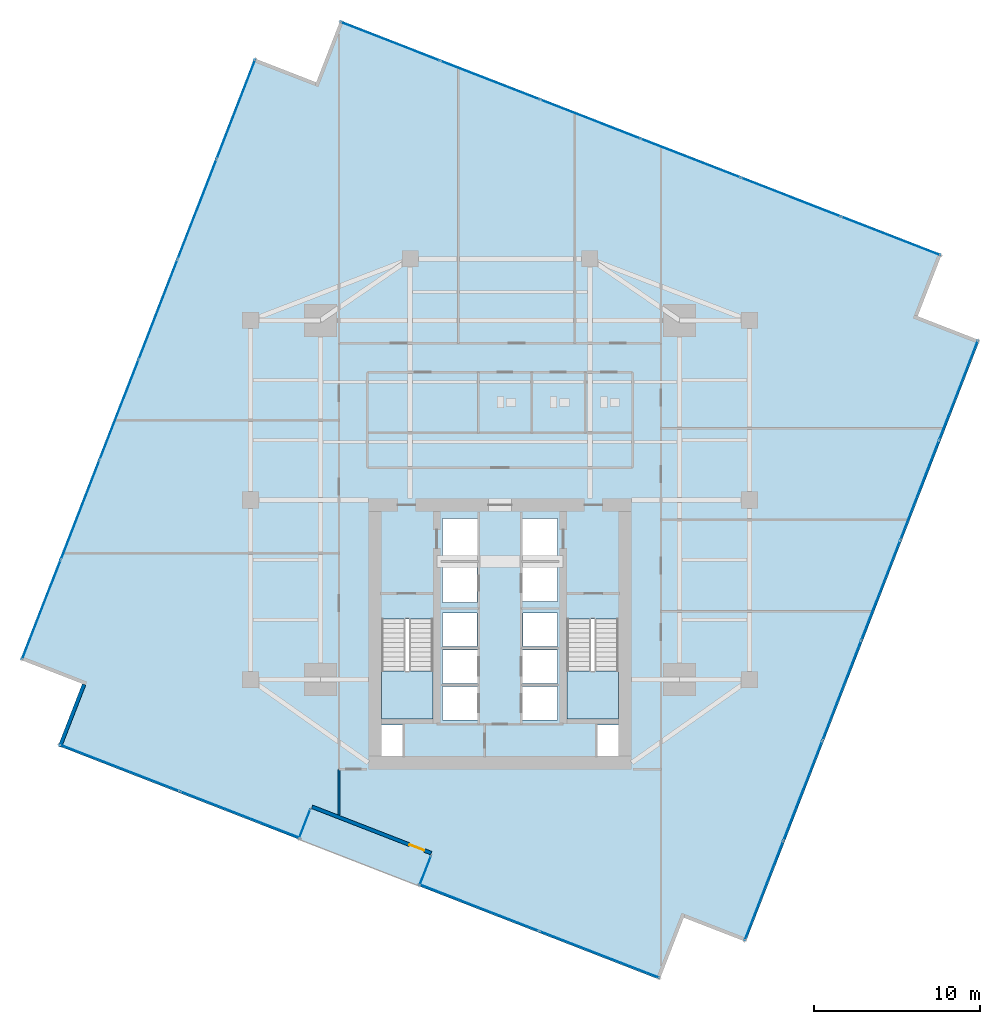
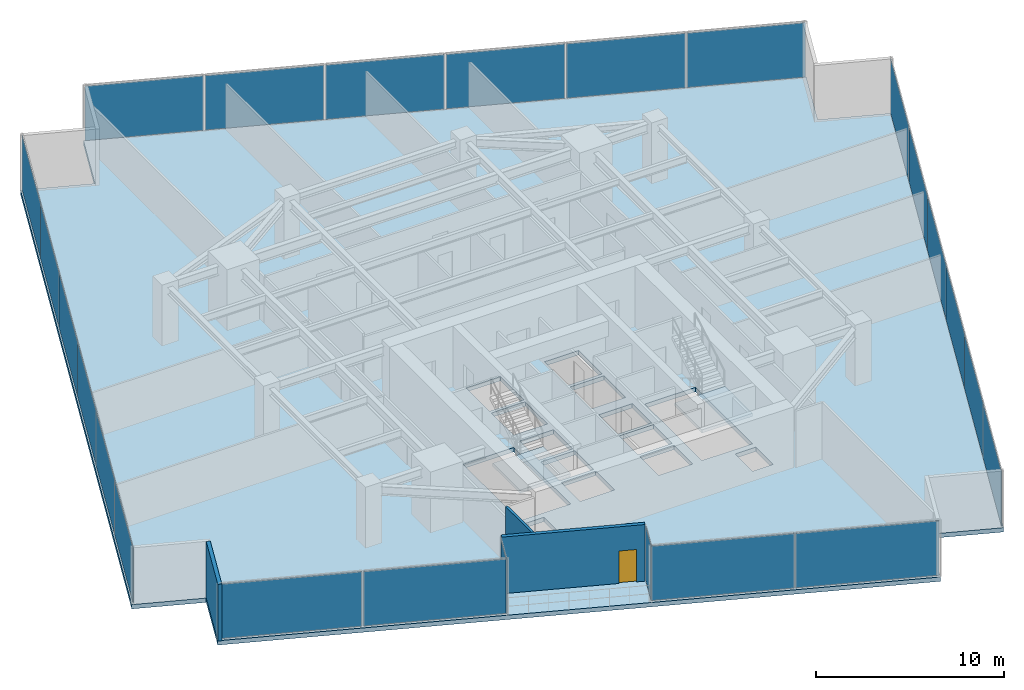
# One storey, part 21 of 26: 24 plates, 3 slabs, 3 walls, 1 door, 1 opening, 9 elements without a shape of their own.
"""IFC4 building model written with IfcOpenShell, lengths in metres."""

from ifc_helpers import new_model, si_unit, direction, frame, frame_2d, origin, origin_2d, place, context, subcontext, project, spatial, polyline, rectangle, outline, extrude, source, transform, mapped, material, layer, layer_set, type_object, type_shapes, element, fill, aggregate, save


model = new_model("IFC4")

# Units and contexts
model_context = context("Model", 3, precision=1e-05, world=origin(), true_north=direction((0.0, 1.0)))
body_context = subcontext(model_context, "Body", "Model", "MODEL_VIEW")
ifc_project = project(units=[si_unit("LENGTHUNIT", "METRE"), si_unit("AREAUNIT", "SQUARE_METRE"), si_unit("VOLUMEUNIT", "CUBIC_METRE"), si_unit("PLANEANGLEUNIT", "RADIAN"), si_unit("MASSUNIT", "GRAM", prefix="KILO")], contexts=[model_context])

# Site, building, storey
site_placement = place(None, origin())
site = spatial("IfcSite", under=ifc_project, at=site_placement, CompositionType="ELEMENT")
building_placement = place(site_placement, origin())
building = spatial("IfcBuilding", under=site, at=building_placement, Name="Krantzveldt Concourse Tower", CompositionType="ELEMENT")
storey_placement = place(building_placement, frame((0.0, 0.0, 133.5)))
storey = spatial("IfcBuildingStorey", under=building, at=storey_placement, Name="L32", CompositionType="ELEMENT", Elevation=133.5)

# Stair, slab
ifc_material_1 = material(Name="Precast concrete C40/50", Category="concrete")
stair_type = type_object("IfcStairType", Name="STR-CORE-DOGLEG", PredefinedType="HALF_TURN_STAIR", material=ifc_material_1)
stair_1_placement = place(storey_placement, origin())
stair_1 = element("IfcStair", 1, at=stair_1_placement, inside=storey, type_object=stair_type, Name="L32 Protected Escape Stair ST-1", PredefinedType="HALF_TURN_STAIR")
ifc_layer_1 = layer(ifc_material_1, 0.199951171875, Name="Precast concrete C40/50", Category="concrete")
ifc_layer_set_1 = layer_set([ifc_layer_1], Name="Precast concrete C40/50 (SL-LANDING-200)")
slab_type_1 = type_object("IfcSlabType", Name="SL-LANDING-200", PredefinedType="LANDING", material=ifc_layer_set_1)
slab_1_placement = place(storey_placement, frame((0.0, 0.0, 1.77490234375)))
slab_1 = element("IfcSlab", 2, at=slab_1_placement, type_object=slab_type_1, Name="ST-1 landing 1", PredefinedType="LANDING", context=body_context, shape_type="SweptSolid", body=[
    extrude(outline(polyline([(28.8798828125, 16.4150390625), (28.8798828125, 13.52001953125), (31.97998046875, 13.52001953125), (31.97998046875, 16.4150390625), (28.8798828125, 16.4150390625)])), origin(), (0.0, 0.0, 1.0), 0.2001953125),
])
aggregate(stair_1, [slab_1])

stair_2_placement = place(storey_placement, origin())
stair_2 = element("IfcStair", 3, at=stair_2_placement, inside=storey, type_object=stair_type, Name="L32 Protected Escape Stair ST-2", PredefinedType="HALF_TURN_STAIR")
slab_2_placement = place(storey_placement, frame((0.0, 0.0, 1.77490234375)))
slab_2 = element("IfcSlab", 4, at=slab_2_placement, type_object=slab_type_1, Name="ST-2 landing 1", PredefinedType="LANDING", context=body_context, shape_type="SweptSolid", body=[
    extrude(outline(polyline([(40.02001953125, 16.4150390625), (40.02001953125, 13.52001953125), (43.1201171875, 13.52001953125), (43.1201171875, 16.4150390625), (40.02001953125, 16.4150390625)])), origin(), (0.0, 0.0, 1.0), 0.2001953125),
])
aggregate(stair_2, [slab_2])

# Slab
ifc_material_2 = material(Name="Concrete C40/50", Category="concrete")
ifc_layer_2 = layer(ifc_material_2, 0.280029296875, Name="Concrete C40/50", Category="concrete")
ifc_layer_set_2 = layer_set([ifc_layer_2], Name="Concrete C40/50 (SL-SL-TER280)")
slab_type_2 = type_object("IfcSlabType", Name="SL-SL-TER280", PredefinedType="FLOOR", material=ifc_layer_set_2)
slab_3_placement = place(storey_placement, frame((0.0, 0.0, -0.280029296875)))
element("IfcSlab", 5, at=slab_3_placement, inside=storey, type_object=slab_type_2, Name="SL-L32-MAIN", PredefinedType="FLOOR", context=body_context, shape_type="SweptSolid", body=[
    extrude(outline(polyline([(24.950439453125, 51.812255859375), (21.222412109375, 53.261962890625), (7.15966796875, 17.10009765625), (10.8876953125, 15.650390625), (9.43798828125, 11.92236328125), (45.599853515625, -2.140380859375), (47.049560546875, 1.587646484375), (50.777587890625, 0.137939453125), (64.84033203125, 36.2998046875), (61.1123046875, 37.749755859375), (62.56201171875, 41.477783203125), (26.400146484375, 55.540283203125), (24.950439453125, 51.812255859375)]), holes=[polyline([(28.8798828125, 19.547607421875), (28.8798828125, 13.52001953125), (31.97998046875, 13.52001953125), (31.97998046875, 19.547607421875), (28.8798828125, 19.547607421875)]), polyline([(40.02001953125, 19.547607421875), (40.02001953125, 13.52001953125), (43.1201171875, 13.52001953125), (43.1201171875, 19.547607421875), (40.02001953125, 19.547607421875)]), polyline([(32.550048828125, 23.10009765625), (34.64990234375, 23.10009765625), (34.64990234375, 25.60009765625), (32.550048828125, 25.60009765625), (32.550048828125, 23.10009765625)]), polyline([(37.35009765625, 23.10009765625), (39.449951171875, 23.10009765625), (39.449951171875, 25.60009765625), (37.35009765625, 25.60009765625), (37.35009765625, 23.10009765625)]), polyline([(37.35009765625, 20.60009765625), (39.449951171875, 20.60009765625), (39.449951171875, 22.89990234375), (37.35009765625, 22.89990234375), (37.35009765625, 20.60009765625)]), polyline([(32.550048828125, 13.47998046875), (34.64990234375, 13.47998046875), (34.64990234375, 15.47998046875), (32.550048828125, 15.47998046875), (32.550048828125, 13.47998046875)]), polyline([(32.550048828125, 15.679931640625), (34.64990234375, 15.679931640625), (34.64990234375, 17.679931640625), (32.550048828125, 17.679931640625), (32.550048828125, 15.679931640625)]), polyline([(37.35009765625, 13.47998046875), (39.449951171875, 13.47998046875), (39.449951171875, 15.47998046875), (37.35009765625, 15.47998046875), (37.35009765625, 13.47998046875)]), polyline([(37.35009765625, 15.679931640625), (39.449951171875, 15.679931640625), (39.449951171875, 17.679931640625), (37.35009765625, 17.679931640625), (37.35009765625, 15.679931640625)]), polyline([(32.550048828125, 20.550048828125), (34.6201171875, 20.550048828125), (34.6201171875, 22.89990234375), (32.550048828125, 22.89990234375), (32.550048828125, 20.550048828125)]), polyline([(32.550048828125, 17.8798828125), (34.6201171875, 17.8798828125), (34.6201171875, 19.919921875), (32.550048828125, 19.919921875), (32.550048828125, 17.8798828125)]), polyline([(37.3798828125, 17.8798828125), (39.449951171875, 17.8798828125), (39.449951171875, 19.919921875), (37.3798828125, 19.919921875), (37.3798828125, 17.8798828125)]), polyline([(28.8798828125, 11.320068359375), (30.139892578125, 11.320068359375), (30.139892578125, 13.159912109375), (28.8798828125, 13.159912109375), (28.8798828125, 11.320068359375)]), polyline([(41.860107421875, 11.320068359375), (43.1201171875, 11.320068359375), (43.1201171875, 13.159912109375), (41.860107421875, 13.159912109375), (41.860107421875, 11.320068359375)])]), origin(), (0.0, 0.0, 1.0), 0.280029296875),
])

# Curtain wall, plate
ifc_material_3 = material(Name="Anodised aluminium 6063-T6", Category="aluminium")
curtain_wall_type_1 = type_object("IfcCurtainWallType", Name="CW6", PredefinedType="USERDEFINED", material=ifc_material_3)
curtain_wall_1_placement = place(storey_placement, origin())
curtain_wall_1 = element("IfcCurtainWall", 6, at=curtain_wall_1_placement, inside=storey, type_object=curtain_wall_type_1, Name="CW-L32-TR05", ObjectType="UNITISED CURTAIN WALL", PredefinedType="USERDEFINED")
ifc_material_4 = material(Name="Bronze-tinted laminated low-E IGU glass", Category="glass")
ifc_layer_3 = layer(ifc_material_4, 0.031982421875, Name="Bronze-tinted laminated low-E IGU glass", Category="glass")
ifc_layer_set_3 = layer_set([ifc_layer_3], Name="Bronze-tinted laminated low-E IGU glass (CW-GLZ-32)")
plate_type = type_object("IfcPlateType", Name="CW-GLZ-32", PredefinedType="CURTAIN_PANEL", material=ifc_layer_set_3)
shared_shape_1 = source(origin(), body_context, "Body", "SweptSolid", [
    extrude(rectangle(XDim=1.860107421875, YDim=0.031982421875, at=origin_2d()), origin(), (0.0, 0.0, 1.0), 3.530029296875),
])
plate_1_placement = place(storey_placement, frame((24.255859375, 7.23291015625, 0.06982421875), z_axis=(0.0, 0.0, 1.0), x_axis=(0.36243902256, 0.932007486518, 0.0)))
plate_1 = element("IfcPlate", 7, at=plate_1_placement, type_object=plate_type, Name="CW-TERR panel 1.1", PredefinedType="CURTAIN_PANEL", context=body_context, shape_type="MappedRepresentation", body=[
    mapped(shared_shape_1, transform((0.0, 0.0, 0.0), x_axis=(1.0, 0.0, 0.0), y_axis=(0.0, 1.0, 0.0), z_axis=(0.0, 0.0, 1.0), scale=1.0)),
])
aggregate(curtain_wall_1, [plate_1])

curtain_wall_2_placement = place(storey_placement, origin())
curtain_wall_2 = element("IfcCurtainWall", 8, at=curtain_wall_2_placement, inside=storey, type_object=curtain_wall_type_1, Name="CW-L32-TR07", ObjectType="UNITISED CURTAIN WALL", PredefinedType="USERDEFINED")
plate_2_placement = place(storey_placement, frame((31.5068359375, 4.4130859375, 0.06982421875), z_axis=(0.0, 0.0, 1.0), x_axis=(-0.36243902256, -0.932007486518, 0.0)))
plate_2 = element("IfcPlate", 9, at=plate_2_placement, type_object=plate_type, Name="CW-TERR panel 1.1", PredefinedType="CURTAIN_PANEL", context=body_context, shape_type="MappedRepresentation", body=[
    mapped(shared_shape_1, transform((0.0, 0.0, 0.0), x_axis=(1.0, 0.0, 0.0), y_axis=(0.0, 1.0, 0.0), z_axis=(0.0, 0.0, 1.0), scale=1.0)),
])
aggregate(curtain_wall_2, [plate_2])

# Curtain wall, plates
curtain_wall_type_2 = type_object("IfcCurtainWallType", Name="CW2", PredefinedType="USERDEFINED", material=ifc_material_3)
curtain_wall_3_placement = place(storey_placement, origin())
curtain_wall_3 = element("IfcCurtainWall", 10, at=curtain_wall_3_placement, inside=storey, type_object=curtain_wall_type_2, Name="CW-L32-F01", ObjectType="UNITISED CURTAIN WALL", PredefinedType="USERDEFINED")
shared_shape_2 = source(origin(), body_context, "Body", "SweptSolid", [
    extrude(rectangle(XDim=6.361572265625, YDim=0.031982421875, at=origin_2d()), origin(), (0.0, 0.0, 1.0), 3.530029296875),
])
plate_3_placement = place(storey_placement, frame((20.1279296875, 50.199462890625, 0.06982421875), z_axis=(0.0, 0.0, 1.0), x_axis=(-0.362437952917, -0.93200790248, 0.0)))
plate_3 = element("IfcPlate", 11, at=plate_3_placement, type_object=plate_type, Name="CW-Z12 panel 1.1", PredefinedType="CURTAIN_PANEL", context=body_context, shape_type="MappedRepresentation", body=[
    mapped(shared_shape_2, transform((0.0, 0.0, 0.0), x_axis=(1.0, 0.0, 0.0), y_axis=(0.0, 1.0, 0.0), z_axis=(0.0, 0.0, 1.0), scale=1.0)),
])
plate_4_placement = place(storey_placement, frame((8.421875, 20.09716796875, 0.06982421875), z_axis=(0.0, 0.0, 1.0), x_axis=(-0.362437952917, -0.93200790248, 0.0)))
plate_4 = element("IfcPlate", 12, at=plate_4_placement, type_object=plate_type, Name="CW-Z12 panel 6.1", PredefinedType="CURTAIN_PANEL", context=body_context, shape_type="MappedRepresentation", body=[
    mapped(shared_shape_2, transform((0.0, 0.0, 0.0), x_axis=(1.0, 0.0, 0.0), y_axis=(0.0, 1.0, 0.0), z_axis=(0.0, 0.0, 1.0), scale=1.0)),
])

curtain_wall_4_placement = place(storey_placement, origin())
curtain_wall_4 = element("IfcCurtainWall", 13, at=curtain_wall_4_placement, inside=storey, type_object=curtain_wall_type_2, Name="CW-L32-F11", ObjectType="UNITISED CURTAIN WALL", PredefinedType="USERDEFINED")
plate_5_placement = place(storey_placement, frame((51.8720703125, 3.200439453125, 0.06982421875), z_axis=(0.0, 0.0, 1.0), x_axis=(0.362437952917, 0.93200790248, 0.0)))
plate_5 = element("IfcPlate", 14, at=plate_5_placement, type_object=plate_type, Name="CW-Z12 panel 1.1", PredefinedType="CURTAIN_PANEL", context=body_context, shape_type="MappedRepresentation", body=[
    mapped(shared_shape_2, transform((0.0, 0.0, 0.0), x_axis=(1.0, 0.0, 0.0), y_axis=(0.0, 1.0, 0.0), z_axis=(0.0, 0.0, 1.0), scale=1.0)),
])
plate_6_placement = place(storey_placement, frame((63.578125, 33.302734375, 0.06982421875), z_axis=(0.0, 0.0, 1.0), x_axis=(0.362437952917, 0.93200790248, 0.0)))
plate_6 = element("IfcPlate", 15, at=plate_6_placement, type_object=plate_type, Name="CW-Z12 panel 6.1", PredefinedType="CURTAIN_PANEL", context=body_context, shape_type="MappedRepresentation", body=[
    mapped(shared_shape_2, transform((0.0, 0.0, 0.0), x_axis=(1.0, 0.0, 0.0), y_axis=(0.0, 1.0, 0.0), z_axis=(0.0, 0.0, 1.0), scale=1.0)),
])

curtain_wall_5_placement = place(storey_placement, origin())
curtain_wall_5 = element("IfcCurtainWall", 16, at=curtain_wall_5_placement, inside=storey, type_object=curtain_wall_type_2, Name="CW-L32-F14", ObjectType="UNITISED CURTAIN WALL", PredefinedType="USERDEFINED")
plate_7_placement = place(storey_placement, frame((59.49951171875, 42.572021484375, 0.06982421875), z_axis=(0.0, 0.0, 1.0), x_axis=(-0.93200790248, 0.362437952917, 0.0)))
plate_7 = element("IfcPlate", 17, at=plate_7_placement, type_object=plate_type, Name="CW-Z12 panel 1.1", PredefinedType="CURTAIN_PANEL", context=body_context, shape_type="MappedRepresentation", body=[
    mapped(shared_shape_2, transform((0.0, 0.0, 0.0), x_axis=(1.0, 0.0, 0.0), y_axis=(0.0, 1.0, 0.0), z_axis=(0.0, 0.0, 1.0), scale=1.0)),
])
plate_8_placement = place(storey_placement, frame((29.397216796875, 54.278076171875, 0.06982421875), z_axis=(0.0, 0.0, 1.0), x_axis=(-0.93200790248, 0.362437952917, 0.0)))
plate_8 = element("IfcPlate", 18, at=plate_8_placement, type_object=plate_type, Name="CW-Z12 panel 6.1", PredefinedType="CURTAIN_PANEL", context=body_context, shape_type="MappedRepresentation", body=[
    mapped(shared_shape_2, transform((0.0, 0.0, 0.0), x_axis=(1.0, 0.0, 0.0), y_axis=(0.0, 1.0, 0.0), z_axis=(0.0, 0.0, 1.0), scale=1.0)),
])

# Plate
shared_shape_3 = source(origin(), body_context, "Body", "SweptSolid", [
    extrude(rectangle(XDim=6.396728515625, YDim=0.031982421875, at=origin_2d()), origin(), (0.0, 0.0, 1.0), 3.530029296875),
])
plate_9_placement = place(storey_placement, frame((17.79052734375, 44.18896484375, 0.06982421875), z_axis=(0.0, 0.0, 1.0), x_axis=(-0.362437952917, -0.93200790248, 0.0)))
plate_9 = element("IfcPlate", 19, at=plate_9_placement, type_object=plate_type, Name="CW-Z12 panel 2.1", PredefinedType="CURTAIN_PANEL", context=body_context, shape_type="MappedRepresentation", body=[
    mapped(shared_shape_3, transform((0.0, 0.0, 0.0), x_axis=(1.0, 0.0, 0.0), y_axis=(0.0, 1.0, 0.0), z_axis=(0.0, 0.0, 1.0), scale=1.0)),
])

plate_10_placement = place(storey_placement, frame((15.44677734375, 38.161865234375, 0.06982421875), z_axis=(0.0, 0.0, 1.0), x_axis=(-0.362437952917, -0.93200790248, 0.0)))
plate_10 = element("IfcPlate", 20, at=plate_10_placement, type_object=plate_type, Name="CW-Z12 panel 3.1", PredefinedType="CURTAIN_PANEL", context=body_context, shape_type="MappedRepresentation", body=[
    mapped(shared_shape_3, transform((0.0, 0.0, 0.0), x_axis=(1.0, 0.0, 0.0), y_axis=(0.0, 1.0, 0.0), z_axis=(0.0, 0.0, 1.0), scale=1.0)),
])

plate_11_placement = place(storey_placement, frame((13.10302734375, 32.135009765625, 0.06982421875), z_axis=(0.0, 0.0, 1.0), x_axis=(-0.362437952917, -0.93200790248, 0.0)))
plate_11 = element("IfcPlate", 21, at=plate_11_placement, type_object=plate_type, Name="CW-Z12 panel 4.1", PredefinedType="CURTAIN_PANEL", context=body_context, shape_type="MappedRepresentation", body=[
    mapped(shared_shape_3, transform((0.0, 0.0, 0.0), x_axis=(1.0, 0.0, 0.0), y_axis=(0.0, 1.0, 0.0), z_axis=(0.0, 0.0, 1.0), scale=1.0)),
])

plate_12_placement = place(storey_placement, frame((10.75927734375, 26.10791015625, 0.06982421875), z_axis=(0.0, 0.0, 1.0), x_axis=(-0.362437952917, -0.93200790248, 0.0)))
plate_12 = element("IfcPlate", 22, at=plate_12_placement, type_object=plate_type, Name="CW-Z12 panel 5.1", PredefinedType="CURTAIN_PANEL", context=body_context, shape_type="MappedRepresentation", body=[
    mapped(shared_shape_3, transform((0.0, 0.0, 0.0), x_axis=(1.0, 0.0, 0.0), y_axis=(0.0, 1.0, 0.0), z_axis=(0.0, 0.0, 1.0), scale=1.0)),
])

aggregate(curtain_wall_3, [plate_3, plate_9, plate_10, plate_11, plate_12, plate_4])

plate_13_placement = place(storey_placement, frame((54.20947265625, 9.211181640625, 0.06982421875), z_axis=(0.0, 0.0, 1.0), x_axis=(0.362437952917, 0.93200790248, 0.0)))
plate_13 = element("IfcPlate", 23, at=plate_13_placement, type_object=plate_type, Name="CW-Z12 panel 2.1", PredefinedType="CURTAIN_PANEL", context=body_context, shape_type="MappedRepresentation", body=[
    mapped(shared_shape_3, transform((0.0, 0.0, 0.0), x_axis=(1.0, 0.0, 0.0), y_axis=(0.0, 1.0, 0.0), z_axis=(0.0, 0.0, 1.0), scale=1.0)),
])

plate_14_placement = place(storey_placement, frame((56.55322265625, 15.238037109375, 0.06982421875), z_axis=(0.0, 0.0, 1.0), x_axis=(0.362437952917, 0.93200790248, 0.0)))
plate_14 = element("IfcPlate", 24, at=plate_14_placement, type_object=plate_type, Name="CW-Z12 panel 3.1", PredefinedType="CURTAIN_PANEL", context=body_context, shape_type="MappedRepresentation", body=[
    mapped(shared_shape_3, transform((0.0, 0.0, 0.0), x_axis=(1.0, 0.0, 0.0), y_axis=(0.0, 1.0, 0.0), z_axis=(0.0, 0.0, 1.0), scale=1.0)),
])

plate_15_placement = place(storey_placement, frame((58.89697265625, 21.26513671875, 0.06982421875), z_axis=(0.0, 0.0, 1.0), x_axis=(0.362437952917, 0.93200790248, 0.0)))
plate_15 = element("IfcPlate", 25, at=plate_15_placement, type_object=plate_type, Name="CW-Z12 panel 4.1", PredefinedType="CURTAIN_PANEL", context=body_context, shape_type="MappedRepresentation", body=[
    mapped(shared_shape_3, transform((0.0, 0.0, 0.0), x_axis=(1.0, 0.0, 0.0), y_axis=(0.0, 1.0, 0.0), z_axis=(0.0, 0.0, 1.0), scale=1.0)),
])

plate_16_placement = place(storey_placement, frame((61.24072265625, 27.2919921875, 0.06982421875), z_axis=(0.0, 0.0, 1.0), x_axis=(0.362437952917, 0.93200790248, 0.0)))
plate_16 = element("IfcPlate", 26, at=plate_16_placement, type_object=plate_type, Name="CW-Z12 panel 5.1", PredefinedType="CURTAIN_PANEL", context=body_context, shape_type="MappedRepresentation", body=[
    mapped(shared_shape_3, transform((0.0, 0.0, 0.0), x_axis=(1.0, 0.0, 0.0), y_axis=(0.0, 1.0, 0.0), z_axis=(0.0, 0.0, 1.0), scale=1.0)),
])

aggregate(curtain_wall_4, [plate_5, plate_13, plate_14, plate_15, plate_16, plate_6])

plate_17_placement = place(storey_placement, frame((53.489013671875, 44.909423828125, 0.06982421875), z_axis=(0.0, 0.0, 1.0), x_axis=(-0.93200790248, 0.362437952917, 0.0)))
plate_17 = element("IfcPlate", 27, at=plate_17_placement, type_object=plate_type, Name="CW-Z12 panel 2.1", PredefinedType="CURTAIN_PANEL", context=body_context, shape_type="MappedRepresentation", body=[
    mapped(shared_shape_3, transform((0.0, 0.0, 0.0), x_axis=(1.0, 0.0, 0.0), y_axis=(0.0, 1.0, 0.0), z_axis=(0.0, 0.0, 1.0), scale=1.0)),
])

plate_18_placement = place(storey_placement, frame((47.4619140625, 47.253173828125, 0.06982421875), z_axis=(0.0, 0.0, 1.0), x_axis=(-0.93200790248, 0.362437952917, 0.0)))
plate_18 = element("IfcPlate", 28, at=plate_18_placement, type_object=plate_type, Name="CW-Z12 panel 3.1", PredefinedType="CURTAIN_PANEL", context=body_context, shape_type="MappedRepresentation", body=[
    mapped(shared_shape_3, transform((0.0, 0.0, 0.0), x_axis=(1.0, 0.0, 0.0), y_axis=(0.0, 1.0, 0.0), z_axis=(0.0, 0.0, 1.0), scale=1.0)),
])

plate_19_placement = place(storey_placement, frame((41.43505859375, 49.596923828125, 0.06982421875), z_axis=(0.0, 0.0, 1.0), x_axis=(-0.93200790248, 0.362437952917, 0.0)))
plate_19 = element("IfcPlate", 29, at=plate_19_placement, type_object=plate_type, Name="CW-Z12 panel 4.1", PredefinedType="CURTAIN_PANEL", context=body_context, shape_type="MappedRepresentation", body=[
    mapped(shared_shape_3, transform((0.0, 0.0, 0.0), x_axis=(1.0, 0.0, 0.0), y_axis=(0.0, 1.0, 0.0), z_axis=(0.0, 0.0, 1.0), scale=1.0)),
])

plate_20_placement = place(storey_placement, frame((35.407958984375, 51.940673828125, 0.06982421875), z_axis=(0.0, 0.0, 1.0), x_axis=(-0.93200790248, 0.362437952917, 0.0)))
plate_20 = element("IfcPlate", 30, at=plate_20_placement, type_object=plate_type, Name="CW-Z12 panel 5.1", PredefinedType="CURTAIN_PANEL", context=body_context, shape_type="MappedRepresentation", body=[
    mapped(shared_shape_3, transform((0.0, 0.0, 0.0), x_axis=(1.0, 0.0, 0.0), y_axis=(0.0, 1.0, 0.0), z_axis=(0.0, 0.0, 1.0), scale=1.0)),
])

aggregate(curtain_wall_5, [plate_7, plate_17, plate_18, plate_19, plate_20, plate_8])

# Curtain wall, plates
curtain_wall_6_placement = place(storey_placement, origin())
curtain_wall_6 = element("IfcCurtainWall", 31, at=curtain_wall_6_placement, inside=storey, type_object=curtain_wall_type_2, Name="CW-L32-F04", ObjectType="UNITISED CURTAIN WALL", PredefinedType="USERDEFINED")
shared_shape_4 = source(origin(), body_context, "Body", "SweptSolid", [
    extrude(rectangle(XDim=7.695068359375, YDim=0.031982421875, at=origin_2d()), origin(), (0.0, 0.0, 1.0), 3.530029296875),
])
type_shapes(plate_type, [shared_shape_1, shared_shape_2, shared_shape_3, shared_shape_4])
plate_21_placement = place(storey_placement, frame((13.121826171875, 10.58642578125, 0.06982421875), z_axis=(0.0, 0.0, 1.0), x_axis=(0.932007919598, -0.362437908899, 0.0)))
plate_21 = element("IfcPlate", 32, at=plate_21_placement, type_object=plate_type, Name="CW-Z12 panel 1.1", PredefinedType="CURTAIN_PANEL", context=body_context, shape_type="MappedRepresentation", body=[
    mapped(shared_shape_4, transform((0.0, 0.0, 0.0), x_axis=(1.0, 0.0, 0.0), y_axis=(0.0, 1.0, 0.0), z_axis=(0.0, 0.0, 1.0), scale=1.0)),
])
plate_22_placement = place(storey_placement, frame((20.35888671875, 7.77197265625, 0.06982421875), z_axis=(0.0, 0.0, 1.0), x_axis=(0.932007919598, -0.362437908899, 0.0)))
plate_22 = element("IfcPlate", 33, at=plate_22_placement, type_object=plate_type, Name="CW-Z12 panel 2.1", PredefinedType="CURTAIN_PANEL", context=body_context, shape_type="MappedRepresentation", body=[
    mapped(shared_shape_4, transform((0.0, 0.0, 0.0), x_axis=(1.0, 0.0, 0.0), y_axis=(0.0, 1.0, 0.0), z_axis=(0.0, 0.0, 1.0), scale=1.0)),
])
aggregate(curtain_wall_6, [plate_21, plate_22])

curtain_wall_7_placement = place(storey_placement, origin())
curtain_wall_7 = element("IfcCurtainWall", 34, at=curtain_wall_7_placement, inside=storey, type_object=curtain_wall_type_2, Name="CW-L32-F08", ObjectType="UNITISED CURTAIN WALL", PredefinedType="USERDEFINED")
plate_23_placement = place(storey_placement, frame((34.744384765625, 2.177734375, 0.06982421875), z_axis=(0.0, 0.0, 1.0), x_axis=(0.932007919598, -0.362437908899, 0.0)))
plate_23 = element("IfcPlate", 35, at=plate_23_placement, type_object=plate_type, Name="CW-Z12 panel 1.1", PredefinedType="CURTAIN_PANEL", context=body_context, shape_type="MappedRepresentation", body=[
    mapped(shared_shape_4, transform((0.0, 0.0, 0.0), x_axis=(1.0, 0.0, 0.0), y_axis=(0.0, 1.0, 0.0), z_axis=(0.0, 0.0, 1.0), scale=1.0)),
])
plate_24_placement = place(storey_placement, frame((41.9814453125, -0.636474609375, 0.06982421875), z_axis=(0.0, 0.0, 1.0), x_axis=(0.932007919598, -0.362437908899, 0.0)))
plate_24 = element("IfcPlate", 36, at=plate_24_placement, type_object=plate_type, Name="CW-Z12 panel 2.1", PredefinedType="CURTAIN_PANEL", context=body_context, shape_type="MappedRepresentation", body=[
    mapped(shared_shape_4, transform((0.0, 0.0, 0.0), x_axis=(1.0, 0.0, 0.0), y_axis=(0.0, 1.0, 0.0), z_axis=(0.0, 0.0, 1.0), scale=1.0)),
])
aggregate(curtain_wall_7, [plate_23, plate_24])

# Wall
ifc_layer_4 = layer(ifc_material_3, 0.219970703125, Name="Anodised aluminium 6063-T6", Category="aluminium")
ifc_layer_set_4 = layer_set([ifc_layer_4], Name="Anodised aluminium 6063-T6 (WL-EXT-NOTCH220)")
wall_type_1 = type_object("IfcWallType", Name="WL-EXT-NOTCH220", PredefinedType="ELEMENTEDWALL", material=ifc_layer_set_4)
wall_1_placement = place(storey_placement, frame((10.990234375, 15.610595703125, 0.0), z_axis=(0.0, 0.0, 1.0), x_axis=(-0.362411136527, -0.932018330357, 0.0)))
element("IfcWall", 37, at=wall_1_placement, inside=storey, type_object=wall_type_1, Name="EW-L32-NCH03", PredefinedType="ELEMENTEDWALL", context=body_context, shape_type="SweptSolid", body=[
    extrude(rectangle(XDim=4.025146484375, YDim=0.219970703125, at=frame_2d((2.0126953125, 0.0))), origin(), (0.0, 0.0, 1.0), 3.669921875),
])

# Wall, opening, door
wall_2_placement = place(storey_placement, frame((31.8671875, 5.4638671875, 0.0), z_axis=(0.0, 0.0, 1.0), x_axis=(-0.931996329979, 0.362467710157, 0.0)))
wall_2 = element("IfcWall", 38, at=wall_2_placement, inside=storey, type_object=wall_type_1, Name="EW-L32-TSLOT", PredefinedType="ELEMENTEDWALL", context=body_context, shape_type="SweptSolid", body=[
    extrude(rectangle(XDim=7.68994140625, YDim=0.219970703125, at=frame_2d((3.844970703125, 0.0))), origin(), (0.0, 0.0, 1.0), 3.669921875),
])
opening_placement = place(wall_2_placement, frame((0.449951171875, 0.0, 0.0)))
opening = element("IfcOpeningElement", 39, at=opening_placement, cuts=wall_2, Name="Opening D-EX95", PredefinedType="OPENING", context=body_context, shape_type="SweptSolid", body=[
    extrude(rectangle(XDim=0.949951171875, YDim=2.10009765625, at=frame_2d((0.47509765625, 1.050048828125))), frame((0.0, 0.1201171875, 0.0), z_axis=(0.0, -1.0, 0.0), x_axis=(1.0, 0.0, 0.0)), (0.0, 0.0, 1.0), 0.239990234375),
])
door_type = type_object("IfcDoorType", Name="DR-EXT-950", OperationType="SINGLE_SWING_LEFT", PredefinedType="DOOR", material=ifc_material_3)
door_placement = place(opening_placement, origin())
door = element("IfcDoor", 40, at=door_placement, inside=storey, type_object=door_type, Name="DR-L32-TERR", OperationType="SINGLE_SWING_LEFT", OverallHeight=2.10009765625, OverallWidth=0.949951171875, PredefinedType="DOOR", context=body_context, shape_type="SweptSolid", body=[
    extrude(rectangle(XDim=0.949951171875, YDim=2.10009765625, at=frame_2d((0.47509765625, 1.050048828125))), frame((0.0, 0.02490234375, 0.0), z_axis=(0.0, -1.0, 0.0), x_axis=(1.0, 0.0, 0.0)), (0.0, 0.0, 1.0), 0.050048828125),
])
fill(opening, door)

# Wall
ifc_material_5 = material(Name="Fire-rated gypsum plasterboard on steel stud", Category="steel")
ifc_layer_5 = layer(ifc_material_5, 0.139892578125, Name="Fire-rated gypsum plasterboard on steel stud", Category="steel")
ifc_layer_set_5 = layer_set([ifc_layer_5], Name="Fire-rated gypsum plasterboard on steel stud (WL-PART-140)")
wall_type_2 = type_object("IfcWallType", Name="WL-PART-140", PredefinedType="PARTITIONING", material=ifc_layer_set_5)
wall_3_placement = place(storey_placement, frame((26.320068359375, 7.74462890625, 0.0), z_axis=(0.0, 0.0, 1.0), x_axis=(0.0, 1.0, 0.0)))
element("IfcWall", 41, at=wall_3_placement, inside=storey, type_object=wall_type_2, Name="WP-L32-SWL", PredefinedType="PARTITIONING", context=body_context, shape_type="SweptSolid", body=[
    extrude(rectangle(XDim=2.75537109375, YDim=0.139892578125, at=frame_2d((1.377685546875, 0.0))), origin(), (0.0, 0.0, 1.0), 3.669921875),
])

save(model, "model.ifc")
